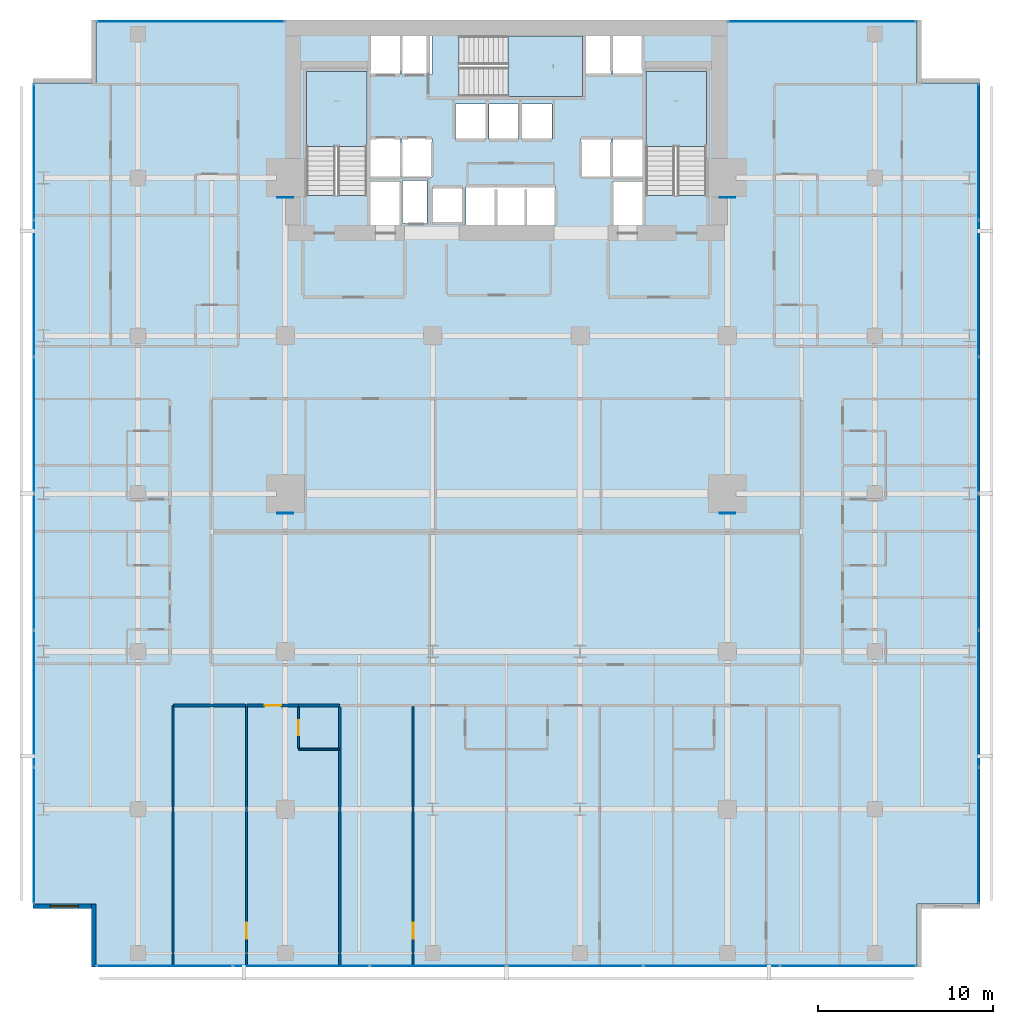
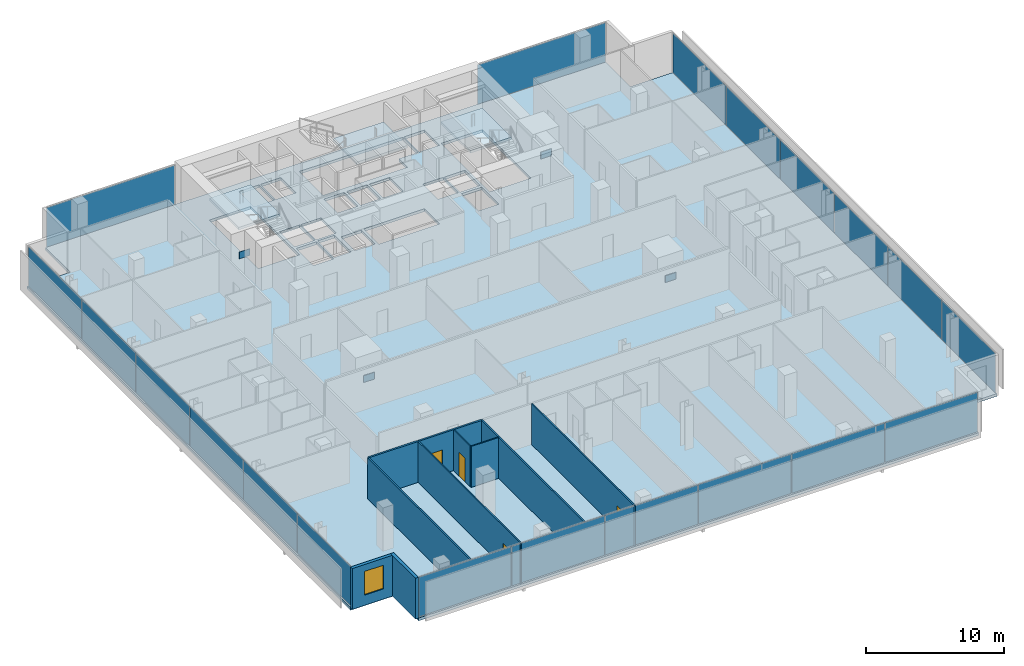
# One storey, part 32 of 40: 24 plates, 11 walls, 4 doors, 4 slabs, 1 window, 5 openings, 8 elements without a shape of their own.
"""IFC4 building model written with IfcOpenShell, lengths in metres."""

from ifc_helpers import new_model, si_unit, direction, frame, frame_2d, origin, origin_2d, place, context, subcontext, project, spatial, polyline, rectangle, outline, extrude, material, layer, layer_set, type_object, element, fill, aggregate, save


model = new_model("IFC4")

# Units and contexts
model_context = context("Model", 3, precision=1e-05, world=origin(), true_north=direction((0.0, 1.0)))
body_context = subcontext(model_context, "Body", "Model", "MODEL_VIEW")
ifc_project = project(units=[si_unit("LENGTHUNIT", "METRE"), si_unit("AREAUNIT", "SQUARE_METRE"), si_unit("VOLUMEUNIT", "CUBIC_METRE"), si_unit("PLANEANGLEUNIT", "RADIAN"), si_unit("MASSUNIT", "GRAM", prefix="KILO")], contexts=[model_context])

# Site, building, storey
site_placement = place(None, origin())
site = spatial("IfcSite", under=ifc_project, at=site_placement, CompositionType="ELEMENT")
building_placement = place(site_placement, origin())
building = spatial("IfcBuilding", under=site, at=building_placement, Name="Maruvema Waterfront Hotel and Observation Tower", CompositionType="ELEMENT")
storey_placement = place(building_placement, frame((0.0, 0.0, 100.10009765625)))
storey = spatial("IfcBuildingStorey", under=building, at=storey_placement, Name="L24", CompositionType="ELEMENT", Elevation=100.10009765625)

# Slab
ifc_material_1 = material(Name="Concrete C50/60", Category="concrete")
ifc_layer_1 = layer(ifc_material_1, 0.239990234375, Name="Reinforced Concrete Floor Slab 240 mm")
ifc_layer_set_1 = layer_set([ifc_layer_1], Name="Concrete C50/60")
slab_type_1 = type_object("IfcSlabType", Name="Reinforced Concrete Floor Slab 240 mm", PredefinedType="FLOOR", material=ifc_layer_set_1)
slab_1_placement = place(storey_placement, frame((0.0, 0.0, -0.239990234375)))
element("IfcSlab", 1, at=slab_1_placement, inside=storey, type_object=slab_type_1, Name="L24 Structural Floor Slab", PredefinedType="FLOOR", context=body_context, shape_type="SweptSolid", body=[
    extrude(outline(polyline([(14.39990234375, 0.0), (61.199951171875, 0.0), (61.199951171875, 3.60009765625), (64.800048828125, 3.60009765625), (64.800048828125, 50.39990234375), (61.199951171875, 50.39990234375), (61.199951171875, 54.0), (14.39990234375, 54.0), (14.39990234375, 50.39990234375), (10.800048828125, 50.39990234375), (10.800048828125, 3.60009765625), (14.39990234375, 3.60009765625), (14.39990234375, 0.0)]), holes=[polyline([(26.39990234375, 44.00048828125), (26.39990234375, 51.050048828125), (29.85009765625, 51.050048828125), (29.85009765625, 44.00048828125), (26.39990234375, 44.00048828125)]), polyline([(30.050048828125, 44.800048828125), (31.75, 44.800048828125), (31.75, 42.320068359375), (30.050048828125, 42.320068359375), (30.050048828125, 44.800048828125)]), polyline([(31.75, 47.25), (31.75, 45.050048828125), (30.050048828125, 45.050048828125), (30.050048828125, 47.25), (31.75, 47.25)]), polyline([(31.75, 53.10009765625), (31.75, 50.89990234375), (30.050048828125, 50.89990234375), (30.050048828125, 53.10009765625), (31.75, 53.10009765625)]), polyline([(33.280029296875, 44.860107421875), (33.280029296875, 42.43994140625), (31.8798828125, 42.43994140625), (31.8798828125, 44.860107421875), (33.280029296875, 44.860107421875)]), polyline([(31.85009765625, 47.25), (33.550048828125, 47.25), (33.550048828125, 45.050048828125), (31.85009765625, 45.050048828125), (31.85009765625, 47.25)]), polyline([(31.85009765625, 53.10009765625), (33.550048828125, 53.10009765625), (33.550048828125, 50.89990234375), (31.85009765625, 50.89990234375), (31.85009765625, 53.10009765625)]), polyline([(33.60009765625, 44.449951171875), (35.300048828125, 44.449951171875), (35.300048828125, 42.449951171875), (33.60009765625, 42.449951171875), (33.60009765625, 44.449951171875)]), polyline([(34.89990234375, 49.199951171875), (36.60009765625, 49.199951171875), (36.60009765625, 47.199951171875), (34.89990234375, 47.199951171875), (34.89990234375, 49.199951171875)]), polyline([(38.5, 49.199951171875), (38.5, 47.199951171875), (36.800048828125, 47.199951171875), (36.800048828125, 49.199951171875), (38.5, 49.199951171875)]), polyline([(35.5, 44.5), (40.60009765625, 44.5), (40.60009765625, 42.300048828125), (35.5, 42.300048828125), (35.5, 44.5)]), polyline([(43.75, 50.89990234375), (42.14990234375, 50.89990234375), (42.14990234375, 49.64990234375), (35.1005859375, 49.64990234375), (35.1005859375, 53.10009765625), (43.75, 53.10009765625), (43.75, 50.89990234375)]), polyline([(40.39990234375, 49.199951171875), (40.39990234375, 47.199951171875), (38.699951171875, 47.199951171875), (38.699951171875, 49.199951171875), (40.39990234375, 49.199951171875)]), polyline([(43.75, 47.25), (43.75, 45.050048828125), (42.050048828125, 45.050048828125), (42.050048828125, 47.25), (43.75, 47.25)]), polyline([(45.550048828125, 44.800048828125), (45.550048828125, 42.320068359375), (43.85009765625, 42.320068359375), (43.85009765625, 44.800048828125), (45.550048828125, 44.800048828125)]), polyline([(43.85009765625, 47.25), (45.550048828125, 47.25), (45.550048828125, 45.050048828125), (43.85009765625, 45.050048828125), (43.85009765625, 47.25)]), polyline([(45.550048828125, 53.10009765625), (45.550048828125, 50.89990234375), (43.85009765625, 50.89990234375), (43.85009765625, 53.10009765625), (45.550048828125, 53.10009765625)]), polyline([(45.75, 51.050048828125), (49.199951171875, 51.050048828125), (49.199951171875, 44.00048828125), (45.75, 44.00048828125), (45.75, 51.050048828125)])]), origin(), (0.0, 0.0, 1.0), 0.239990234375),
])

# Curtain wall, plates
ifc_material_2 = material(Name="Anodised bronze aluminium and solar-control low-E IGU", Category="aluminium")
ifc_layer_2 = layer(ifc_material_2, 0.159912109375, Name="Zone 1 Bronze Inner Thermal Curtain Wall System CW-02")
ifc_layer_set_2 = layer_set([ifc_layer_2], Name="Anodised bronze aluminium and solar-control low-E IGU")
curtain_wall_type = type_object("IfcCurtainWallType", Name="Zone 1 Bronze Inner Thermal Curtain Wall System CW-02", PredefinedType="USERDEFINED", material=ifc_layer_set_2)
curtain_wall_1_placement = place(storey_placement, origin())
curtain_wall_1 = element("IfcCurtainWall", 2, at=curtain_wall_1_placement, inside=storey, type_object=curtain_wall_type, Name="L24 Curtain Wall CW-L24-S", ObjectType="UNITISED CURTAIN WALL", PredefinedType="USERDEFINED")
ifc_material_3 = material(Name="Laminated low-E solar-control double glazing", Category="glass")
ifc_layer_3 = layer(ifc_material_3, 0.035888671875, Name="Solar Control Double-Glazed Curtain Panel 36 mm")
ifc_layer_set_3 = layer_set([ifc_layer_3], Name="Laminated low-E solar-control double glazing")
plate_type_1 = type_object("IfcPlateType", Name="Solar Control Double-Glazed Curtain Panel 36 mm", PredefinedType="CURTAIN_PANEL", material=ifc_layer_set_3)
plate_1_placement = place(storey_placement, frame((18.31494140625, 0.080078125, 0.06005859375), z_axis=(0.0, 0.0, 1.0), x_axis=(1.0, 0.0, 0.0)))
plate_1 = element("IfcPlate", 3, at=plate_1_placement, type_object=plate_type_1, Name="CW-02 panel 1.1", PredefinedType="CURTAIN_PANEL", context=body_context, shape_type="SweptSolid", body=[
    extrude(rectangle(XDim=7.7099609375, YDim=0.028076171875, at=origin_2d()), origin(), (0.0, 0.0, 1.0), 3.489990234375),
])
plate_2_placement = place(storey_placement, frame((26.10009765625, 0.080078125, 0.06005859375), z_axis=(0.0, 0.0, 1.0), x_axis=(1.0, 0.0, 0.0)))
plate_2 = element("IfcPlate", 4, at=plate_2_placement, type_object=plate_type_1, Name="CW-02 panel 2.1", PredefinedType="CURTAIN_PANEL", context=body_context, shape_type="SweptSolid", body=[
    extrude(rectangle(XDim=7.739990234375, YDim=0.028076171875, at=origin_2d()), origin(), (0.0, 0.0, 1.0), 3.489990234375),
])
plate_3_placement = place(storey_placement, frame((33.89990234375, 0.080078125, 0.06005859375), z_axis=(0.0, 0.0, 1.0), x_axis=(1.0, 0.0, 0.0)))
plate_3 = element("IfcPlate", 5, at=plate_3_placement, type_object=plate_type_1, Name="CW-02 panel 3.1", PredefinedType="CURTAIN_PANEL", context=body_context, shape_type="SweptSolid", body=[
    extrude(rectangle(XDim=7.739990234375, YDim=0.028076171875, at=origin_2d()), origin(), (0.0, 0.0, 1.0), 3.489990234375),
])
plate_4_placement = place(storey_placement, frame((41.699951171875, 0.080078125, 0.06005859375), z_axis=(0.0, 0.0, 1.0), x_axis=(1.0, 0.0, 0.0)))
plate_4 = element("IfcPlate", 6, at=plate_4_placement, type_object=plate_type_1, Name="CW-02 panel 4.1", PredefinedType="CURTAIN_PANEL", context=body_context, shape_type="SweptSolid", body=[
    extrude(rectangle(XDim=7.739990234375, YDim=0.028076171875, at=origin_2d()), origin(), (0.0, 0.0, 1.0), 3.489990234375),
])
plate_5_placement = place(storey_placement, frame((49.5, 0.080078125, 0.06005859375), z_axis=(0.0, 0.0, 1.0), x_axis=(1.0, 0.0, 0.0)))
plate_5 = element("IfcPlate", 7, at=plate_5_placement, type_object=plate_type_1, Name="CW-02 panel 5.1", PredefinedType="CURTAIN_PANEL", context=body_context, shape_type="SweptSolid", body=[
    extrude(rectangle(XDim=7.739990234375, YDim=0.028076171875, at=origin_2d()), origin(), (0.0, 0.0, 1.0), 3.489990234375),
])
plate_6_placement = place(storey_placement, frame((57.284912109375, 0.080078125, 0.06005859375), z_axis=(0.0, 0.0, 1.0), x_axis=(1.0, 0.0, 0.0)))
plate_6 = element("IfcPlate", 8, at=plate_6_placement, type_object=plate_type_1, Name="CW-02 panel 6.1", PredefinedType="CURTAIN_PANEL", context=body_context, shape_type="SweptSolid", body=[
    extrude(rectangle(XDim=7.7099609375, YDim=0.028076171875, at=origin_2d()), origin(), (0.0, 0.0, 1.0), 3.489990234375),
])
aggregate(curtain_wall_1, [plate_1, plate_2, plate_3, plate_4, plate_5, plate_6])

curtain_wall_2_placement = place(storey_placement, origin())
curtain_wall_2 = element("IfcCurtainWall", 9, at=curtain_wall_2_placement, inside=storey, type_object=curtain_wall_type, Name="L24 Curtain Wall CW-L24-E", ObjectType="UNITISED CURTAIN WALL", PredefinedType="USERDEFINED")
plate_7_placement = place(storey_placement, frame((64.719970703125, 7.514892578125, 0.06005859375), z_axis=(0.0, 0.0, 1.0), x_axis=(0.0, 1.0, 0.0)))
plate_7 = element("IfcPlate", 10, at=plate_7_placement, type_object=plate_type_1, Name="CW-02 panel 1.1", PredefinedType="CURTAIN_PANEL", context=body_context, shape_type="SweptSolid", body=[
    extrude(rectangle(XDim=7.7099609375, YDim=0.028076171875, at=origin_2d()), origin(), (0.0, 0.0, 1.0), 3.489990234375),
])
plate_8_placement = place(storey_placement, frame((64.719970703125, 15.300048828125, 0.06005859375), z_axis=(0.0, 0.0, 1.0), x_axis=(0.0, 1.0, 0.0)))
plate_8 = element("IfcPlate", 11, at=plate_8_placement, type_object=plate_type_1, Name="CW-02 panel 2.1", PredefinedType="CURTAIN_PANEL", context=body_context, shape_type="SweptSolid", body=[
    extrude(rectangle(XDim=7.739990234375, YDim=0.028076171875, at=origin_2d()), origin(), (0.0, 0.0, 1.0), 3.489990234375),
])
plate_9_placement = place(storey_placement, frame((64.719970703125, 23.10009765625, 0.06005859375), z_axis=(0.0, 0.0, 1.0), x_axis=(0.0, 1.0, 0.0)))
plate_9 = element("IfcPlate", 12, at=plate_9_placement, type_object=plate_type_1, Name="CW-02 panel 3.1", PredefinedType="CURTAIN_PANEL", context=body_context, shape_type="SweptSolid", body=[
    extrude(rectangle(XDim=7.739990234375, YDim=0.028076171875, at=origin_2d()), origin(), (0.0, 0.0, 1.0), 3.489990234375),
])
plate_10_placement = place(storey_placement, frame((64.719970703125, 30.89990234375, 0.06005859375), z_axis=(0.0, 0.0, 1.0), x_axis=(0.0, 1.0, 0.0)))
plate_10 = element("IfcPlate", 13, at=plate_10_placement, type_object=plate_type_1, Name="CW-02 panel 4.1", PredefinedType="CURTAIN_PANEL", context=body_context, shape_type="SweptSolid", body=[
    extrude(rectangle(XDim=7.739990234375, YDim=0.028076171875, at=origin_2d()), origin(), (0.0, 0.0, 1.0), 3.489990234375),
])
plate_11_placement = place(storey_placement, frame((64.719970703125, 38.699951171875, 0.06005859375), z_axis=(0.0, 0.0, 1.0), x_axis=(0.0, 1.0, 0.0)))
plate_11 = element("IfcPlate", 14, at=plate_11_placement, type_object=plate_type_1, Name="CW-02 panel 5.1", PredefinedType="CURTAIN_PANEL", context=body_context, shape_type="SweptSolid", body=[
    extrude(rectangle(XDim=7.739990234375, YDim=0.028076171875, at=origin_2d()), origin(), (0.0, 0.0, 1.0), 3.489990234375),
])
plate_12_placement = place(storey_placement, frame((64.719970703125, 46.485107421875, 0.06005859375), z_axis=(0.0, 0.0, 1.0), x_axis=(0.0, 1.0, 0.0)))
plate_12 = element("IfcPlate", 15, at=plate_12_placement, type_object=plate_type_1, Name="CW-02 panel 6.1", PredefinedType="CURTAIN_PANEL", context=body_context, shape_type="SweptSolid", body=[
    extrude(rectangle(XDim=7.7099609375, YDim=0.028076171875, at=origin_2d()), origin(), (0.0, 0.0, 1.0), 3.489990234375),
])
aggregate(curtain_wall_2, [plate_7, plate_8, plate_9, plate_10, plate_11, plate_12])

curtain_wall_3_placement = place(storey_placement, origin())
curtain_wall_3 = element("IfcCurtainWall", 16, at=curtain_wall_3_placement, inside=storey, type_object=curtain_wall_type, Name="L24 Curtain Wall CW-L24-W", ObjectType="UNITISED CURTAIN WALL", PredefinedType="USERDEFINED")
plate_13_placement = place(storey_placement, frame((10.8798828125, 46.485107421875, 0.06005859375), z_axis=(0.0, 0.0, 1.0), x_axis=(0.0, -1.0, 0.0)))
plate_13 = element("IfcPlate", 17, at=plate_13_placement, type_object=plate_type_1, Name="CW-02 panel 1.1", PredefinedType="CURTAIN_PANEL", context=body_context, shape_type="SweptSolid", body=[
    extrude(rectangle(XDim=7.7099609375, YDim=0.028076171875, at=origin_2d()), origin(), (0.0, 0.0, 1.0), 3.489990234375),
])
plate_14_placement = place(storey_placement, frame((10.8798828125, 38.699951171875, 0.06005859375), z_axis=(0.0, 0.0, 1.0), x_axis=(0.0, -1.0, 0.0)))
plate_14 = element("IfcPlate", 18, at=plate_14_placement, type_object=plate_type_1, Name="CW-02 panel 2.1", PredefinedType="CURTAIN_PANEL", context=body_context, shape_type="SweptSolid", body=[
    extrude(rectangle(XDim=7.739990234375, YDim=0.028076171875, at=origin_2d()), origin(), (0.0, 0.0, 1.0), 3.489990234375),
])
plate_15_placement = place(storey_placement, frame((10.8798828125, 30.89990234375, 0.06005859375), z_axis=(0.0, 0.0, 1.0), x_axis=(0.0, -1.0, 0.0)))
plate_15 = element("IfcPlate", 19, at=plate_15_placement, type_object=plate_type_1, Name="CW-02 panel 3.1", PredefinedType="CURTAIN_PANEL", context=body_context, shape_type="SweptSolid", body=[
    extrude(rectangle(XDim=7.739990234375, YDim=0.028076171875, at=origin_2d()), origin(), (0.0, 0.0, 1.0), 3.489990234375),
])
plate_16_placement = place(storey_placement, frame((10.8798828125, 23.10009765625, 0.06005859375), z_axis=(0.0, 0.0, 1.0), x_axis=(0.0, -1.0, 0.0)))
plate_16 = element("IfcPlate", 20, at=plate_16_placement, type_object=plate_type_1, Name="CW-02 panel 4.1", PredefinedType="CURTAIN_PANEL", context=body_context, shape_type="SweptSolid", body=[
    extrude(rectangle(XDim=7.739990234375, YDim=0.028076171875, at=origin_2d()), origin(), (0.0, 0.0, 1.0), 3.489990234375),
])
plate_17_placement = place(storey_placement, frame((10.8798828125, 15.300048828125, 0.06005859375), z_axis=(0.0, 0.0, 1.0), x_axis=(0.0, -1.0, 0.0)))
plate_17 = element("IfcPlate", 21, at=plate_17_placement, type_object=plate_type_1, Name="CW-02 panel 5.1", PredefinedType="CURTAIN_PANEL", context=body_context, shape_type="SweptSolid", body=[
    extrude(rectangle(XDim=7.739990234375, YDim=0.028076171875, at=origin_2d()), origin(), (0.0, 0.0, 1.0), 3.489990234375),
])
plate_18_placement = place(storey_placement, frame((10.8798828125, 7.514892578125, 0.06005859375), z_axis=(0.0, 0.0, 1.0), x_axis=(0.0, -1.0, 0.0)))
plate_18 = element("IfcPlate", 22, at=plate_18_placement, type_object=plate_type_1, Name="CW-02 panel 6.1", PredefinedType="CURTAIN_PANEL", context=body_context, shape_type="SweptSolid", body=[
    extrude(rectangle(XDim=7.7099609375, YDim=0.028076171875, at=origin_2d()), origin(), (0.0, 0.0, 1.0), 3.489990234375),
])
aggregate(curtain_wall_3, [plate_13, plate_14, plate_15, plate_16, plate_17, plate_18])

# Curtain wall, plate
curtain_wall_4_placement = place(storey_placement, origin())
curtain_wall_4 = element("IfcCurtainWall", 23, at=curtain_wall_4_placement, inside=storey, type_object=curtain_wall_type, Name="L24 Curtain Wall CW-L24-NW", ObjectType="UNITISED CURTAIN WALL", PredefinedType="USERDEFINED")
plate_19_placement = place(storey_placement, frame((19.800048828125, 53.919921875, 0.06005859375), z_axis=(0.0, 0.0, 1.0), x_axis=(-1.0, 0.0, 0.0)))
plate_19 = element("IfcPlate", 24, at=plate_19_placement, type_object=plate_type_1, Name="CW-02 panel 1.1", PredefinedType="CURTAIN_PANEL", context=body_context, shape_type="SweptSolid", body=[
    extrude(rectangle(XDim=10.679931640625, YDim=0.028076171875, at=origin_2d()), origin(), (0.0, 0.0, 1.0), 3.489990234375),
])
aggregate(curtain_wall_4, [plate_19])

curtain_wall_5_placement = place(storey_placement, origin())
curtain_wall_5 = element("IfcCurtainWall", 25, at=curtain_wall_5_placement, inside=storey, type_object=curtain_wall_type, Name="L24 Curtain Wall CW-L24-NE", ObjectType="UNITISED CURTAIN WALL", PredefinedType="USERDEFINED")
plate_20_placement = place(storey_placement, frame((55.800048828125, 53.919921875, 0.06005859375), z_axis=(0.0, 0.0, 1.0), x_axis=(-1.0, 0.0, 0.0)))
plate_20 = element("IfcPlate", 26, at=plate_20_placement, type_object=plate_type_1, Name="CW-02 panel 1.1", PredefinedType="CURTAIN_PANEL", context=body_context, shape_type="SweptSolid", body=[
    extrude(rectangle(XDim=10.679931640625, YDim=0.028076171875, at=origin_2d()), origin(), (0.0, 0.0, 1.0), 3.489990234375),
])
aggregate(curtain_wall_5, [plate_20])

# Stair, slab
ifc_material_4 = material(Name="Concrete C50/60", Category="concrete")
stair_type = type_object("IfcStairType", Name="Dogleg Exit Stair 1650 mm (22R x 175.0 mm)", PredefinedType="HALF_TURN_STAIR", material=ifc_material_4)
stair_1_placement = place(storey_placement, origin())
stair_1 = element("IfcStair", 27, at=stair_1_placement, inside=storey, type_object=stair_type, Name="L24 ST-01", PredefinedType="HALF_TURN_STAIR")
ifc_material_5 = material(Name="Concrete C50/60", Category="concrete")
ifc_layer_4 = layer(ifc_material_5, 0.219970703125, Name="Stair Concrete Landing Slab 220 mm")
ifc_layer_set_4 = layer_set([ifc_layer_4], Name="Concrete C50/60")
slab_type_2 = type_object("IfcSlabType", Name="Stair Concrete Landing Slab 220 mm", PredefinedType="LANDING", material=ifc_layer_set_4)
slab_2_placement = place(storey_placement, frame((0.0, 0.0, 1.704833984375)))
slab_2 = element("IfcSlab", 28, at=slab_2_placement, type_object=slab_type_2, Name="ST-01 landing 1", PredefinedType="LANDING", context=body_context, shape_type="SweptSolid", body=[
    extrude(outline(polyline([(29.85009765625, 46.800048828125), (29.85009765625, 51.050048828125), (26.39990234375, 51.050048828125), (26.39990234375, 46.800048828125), (29.85009765625, 46.800048828125)])), origin(), (0.0, 0.0, 1.0), 0.219970703125),
])
aggregate(stair_1, [slab_2])

stair_2_placement = place(storey_placement, origin())
stair_2 = element("IfcStair", 29, at=stair_2_placement, inside=storey, type_object=stair_type, Name="L24 ST-02", PredefinedType="HALF_TURN_STAIR")
slab_3_placement = place(storey_placement, frame((0.0, 0.0, 1.704833984375)))
slab_3 = element("IfcSlab", 30, at=slab_3_placement, type_object=slab_type_2, Name="ST-02 landing 1", PredefinedType="LANDING", context=body_context, shape_type="SweptSolid", body=[
    extrude(outline(polyline([(37.89990234375, 49.64990234375), (42.14990234375, 49.64990234375), (42.14990234375, 53.10009765625), (37.89990234375, 53.10009765625), (37.89990234375, 49.64990234375)])), origin(), (0.0, 0.0, 1.0), 0.219970703125),
])
aggregate(stair_2, [slab_3])

stair_3_placement = place(storey_placement, origin())
stair_3 = element("IfcStair", 31, at=stair_3_placement, inside=storey, type_object=stair_type, Name="L24 ST-03", PredefinedType="HALF_TURN_STAIR")
slab_4_placement = place(storey_placement, frame((0.0, 0.0, 1.704833984375)))
slab_4 = element("IfcSlab", 32, at=slab_4_placement, type_object=slab_type_2, Name="ST-03 landing 1", PredefinedType="LANDING", context=body_context, shape_type="SweptSolid", body=[
    extrude(outline(polyline([(49.199951171875, 46.800048828125), (49.199951171875, 51.050048828125), (45.75, 51.050048828125), (45.75, 46.800048828125), (49.199951171875, 46.800048828125)])), origin(), (0.0, 0.0, 1.0), 0.219970703125),
])
aggregate(stair_3, [slab_4])

# Plates
ifc_material_6 = material(Name="Steel ABNT NBR 7007 AR 415 (ASTM A572 Grade 50)", Category="steel")
ifc_layer_5 = layer(ifc_material_6, 0.0400390625, Name="Structural Truss Node Gusset Plate 40 mm")
ifc_layer_set_5 = layer_set([ifc_layer_5], Name="Steel ABNT NBR 7007 AR 415 (ASTM A572 Grade 50)")
plate_type_2 = type_object("IfcPlateType", Name="Structural Truss Node Gusset Plate 40 mm", PredefinedType="USERDEFINED", material=ifc_layer_set_5)
for number, where, z_axis, x_axis, name in (
    (33, (25.199951171875, 25.8798828125, 1.499755859375), (0.0, 0.0, 1.0), (1.0, 0.0, 0.0), "L24 MC-01 Moment Frame Continuity Gusset Plate"),
    (34, (50.39990234375, 25.8798828125, 1.499755859375), (0.0, 0.0, 1.0), (1.0, 0.0, 0.0), "L24 MC-02 Moment Frame Continuity Gusset Plate"),
    (35, (25.199951171875, 43.8798828125, 1.499755859375), (0.0, 0.0, 1.0), (1.0, 0.0, 0.0), "L24 MC-03 Moment Frame Continuity Gusset Plate"),
    (36, (50.39990234375, 43.8798828125, 1.499755859375), (0.0, 0.0, 1.0), (1.0, 0.0, 0.0), "L24 MC-04 Moment Frame Continuity Gusset Plate"),
):
    element("IfcPlate", number, at=place(storey_placement, frame(where, z_axis=z_axis, x_axis=x_axis)), inside=storey, type_object=plate_type_2, Name=name, ObjectType="GUSSET_PLATE", PredefinedType="USERDEFINED", context=body_context, shape_type="SweptSolid", body=[
        extrude(rectangle(XDim=0.89990234375, YDim=0.0400390625, at=origin_2d()), origin(), (0.0, 0.0, 1.0), 0.60009765625),
    ])

# Walls
ifc_material_7 = material(Name="Twin-stud acoustic gypsum drywall", Category="gypsum")
ifc_layer_6 = layer(ifc_material_7, 0.14990234375, Name="Acoustic Corridor and Suite Demising Wall 150 mm")
ifc_layer_set_6 = layer_set([ifc_layer_6], Name="Twin-stud acoustic gypsum drywall")
wall_type_1 = type_object("IfcWallType", Name="Acoustic Corridor and Suite Demising Wall 150 mm", PredefinedType="PARTITIONING", material=ifc_layer_set_6)
wall_1_placement = place(storey_placement, frame((25.949951171875, 14.919921875, 0.0), z_axis=(0.0, 0.0, 1.0), x_axis=(1.0, 0.0, 0.0)))
element("IfcWall", 37, at=wall_1_placement, inside=storey, type_object=wall_type_1, Name="L24 Bath L24-S1 Back Wall 034", PredefinedType="PARTITIONING", context=body_context, shape_type="SweptSolid", body=[
    extrude(rectangle(XDim=2.330078125, YDim=0.14990234375, at=frame_2d((1.1650390625, 0.0))), origin(), (0.0, 0.0, 1.0), 3.60986328125),
])
wall_2_placement = place(storey_placement, frame((18.820068359375, 14.919921875, 0.0), z_axis=(0.0, 0.0, 1.0), x_axis=(1.0, 0.0, 0.0)))
element("IfcWall", 38, at=wall_2_placement, inside=storey, type_object=wall_type_1, Name="L24 Bedroom L24-S1 Back Wall 037", PredefinedType="PARTITIONING", context=body_context, shape_type="SweptSolid", body=[
    extrude(rectangle(XDim=4.119873046875, YDim=0.14990234375, at=frame_2d((2.06005859375, 0.0))), origin(), (0.0, 0.0, 1.0), 3.60986328125),
])

# Wall, opening, door
wall_3_placement = place(storey_placement, frame((23.02001953125, 14.919921875, 0.0), z_axis=(0.0, 0.0, 1.0), x_axis=(1.0, 0.0, 0.0)))
wall_3 = element("IfcWall", 39, at=wall_3_placement, inside=storey, type_object=wall_type_1, Name="L24 Unit L24-S1 Corridor Wall 038", PredefinedType="PARTITIONING", context=body_context, shape_type="SweptSolid", body=[
    extrude(rectangle(XDim=2.929931640625, YDim=0.14990234375, at=frame_2d((1.46484375, 0.0))), origin(), (0.0, 0.0, 1.0), 3.60986328125),
])
opening_1_placement = place(wall_3_placement, frame((0.989990234375, 0.0, 0.0)))
opening_1 = element("IfcOpeningElement", 40, at=opening_1_placement, cuts=wall_3, Name="Opening DR-095", PredefinedType="OPENING", context=body_context, shape_type="SweptSolid", body=[
    extrude(rectangle(XDim=0.949951171875, YDim=2.14990234375, at=frame_2d((0.47509765625, 1.074951171875))), frame((0.0, 0.0849609375, 0.0), z_axis=(0.0, -1.0, 0.0), x_axis=(1.0, 0.0, 0.0)), (0.0, 0.0, 1.0), 0.169921875),
])
ifc_material_8 = material(Name="Acoustic solid-core hardwood timber leaf", Category="wood")
door_type_1 = type_object("IfcDoorType", Name="Guestroom Entrance Fire Door 950x2150 mm", OperationType="NOTDEFINED", PredefinedType="DOOR", material=ifc_material_8)
door_1_placement = place(opening_1_placement, frame((0.949951171875, 0.0, 0.0), z_axis=(0.0, 0.0, 1.0), x_axis=(-1.0, 0.0, 0.0)))
door_1 = element("IfcDoor", 41, at=door_1_placement, inside=storey, type_object=door_type_1, Name="L24 Unit L24-S1 Entrance Door", OperationType="SINGLE_SWING_LEFT", OverallHeight=2.14990234375, OverallWidth=0.949951171875, PredefinedType="DOOR", context=body_context, shape_type="SweptSolid", body=[
    extrude(rectangle(XDim=0.949951171875, YDim=2.14990234375, at=frame_2d((0.47509765625, 1.074951171875))), frame((0.0, 0.02490234375, 0.0), z_axis=(0.0, -1.0, 0.0), x_axis=(1.0, 0.0, 0.0)), (0.0, 0.0, 1.0), 0.050048828125),
])
fill(opening_1, door_1)

# Wall
ifc_material_9 = material(Name="Moisture-resistant cement-board drywall", Category="gypsum")
ifc_layer_7 = layer(ifc_material_9, 0.10009765625, Name="En-Suite Moisture-Resistant Partition 100 mm")
ifc_layer_set_7 = layer_set([ifc_layer_7], Name="Moisture-resistant cement-board drywall")
wall_type_2 = type_object("IfcWallType", Name="En-Suite Moisture-Resistant Partition 100 mm", PredefinedType="PARTITIONING", material=ifc_layer_set_7)
wall_4_placement = place(storey_placement, frame((25.949951171875, 12.419921875, 0.0), z_axis=(0.0, 0.0, 1.0), x_axis=(1.0, 0.0, 0.0)))
element("IfcWall", 42, at=wall_4_placement, inside=storey, type_object=wall_type_2, Name="L24 En-Suite L24-S1 South 035", PredefinedType="PARTITIONING", context=body_context, shape_type="SweptSolid", body=[
    extrude(rectangle(XDim=2.31005859375, YDim=0.10009765625, at=frame_2d((1.155029296875, 0.0))), origin(), (0.0, 0.0, 1.0), 3.60986328125),
])

# Wall, opening, door
wall_5_placement = place(storey_placement, frame((25.949951171875, 12.47998046875, 0.0), z_axis=(0.0, 0.0, 1.0), x_axis=(0.0, 1.0, 0.0)))
wall_5 = element("IfcWall", 43, at=wall_5_placement, inside=storey, type_object=wall_type_2, Name="L24 En-Suite L24-S1 West 036", PredefinedType="PARTITIONING", context=body_context, shape_type="SweptSolid", body=[
    extrude(rectangle(XDim=2.340087890625, YDim=0.10009765625, at=frame_2d((1.169921875, 0.0))), origin(), (0.0, 0.0, 1.0), 3.60986328125),
])
opening_2_placement = place(wall_5_placement, frame((0.7451171875, 0.0, 0.0)))
opening_2 = element("IfcOpeningElement", 44, at=opening_2_placement, cuts=wall_5, Name="Opening DR-085", PredefinedType="OPENING", context=body_context, shape_type="SweptSolid", body=[
    extrude(rectangle(XDim=0.85009765625, YDim=2.10009765625, at=frame_2d((0.425048828125, 1.050048828125))), frame((0.0, 0.06005859375, 0.0), z_axis=(0.0, -1.0, 0.0), x_axis=(1.0, 0.0, 0.0)), (0.0, 0.0, 1.0), 0.1201171875),
])
ifc_material_10 = material(Name="Moisture-resistant solid timber leaf", Category="wood")
door_type_2 = type_object("IfcDoorType", Name="En-Suite Bathroom Door 850x2100 mm", OperationType="NOTDEFINED", PredefinedType="DOOR", material=ifc_material_10)
door_2_placement = place(opening_2_placement, origin())
door_2 = element("IfcDoor", 45, at=door_2_placement, inside=storey, type_object=door_type_2, Name="L24 En-Suite L24-S1 Door", OperationType="SINGLE_SWING_RIGHT", OverallHeight=2.10009765625, OverallWidth=0.85009765625, PredefinedType="DOOR", context=body_context, shape_type="SweptSolid", body=[
    extrude(rectangle(XDim=0.85009765625, YDim=2.10009765625, at=frame_2d((0.425048828125, 1.050048828125))), frame((0.0, 0.02490234375, 0.0), z_axis=(0.0, -1.0, 0.0), x_axis=(1.0, 0.0, 0.0)), (0.0, 0.0, 1.0), 0.050048828125),
])
fill(opening_2, door_2)

wall_6_placement = place(storey_placement, frame((22.97998046875, 0.030029296875, 0.0), z_axis=(0.0, 0.0, 1.0), x_axis=(0.0, 1.0, 0.0)))
wall_6 = element("IfcWall", 46, at=wall_6_placement, inside=storey, type_object=wall_type_2, Name="L24 Suite L24-S1 Split 039", PredefinedType="PARTITIONING", context=body_context, shape_type="SweptSolid", body=[
    extrude(rectangle(XDim=14.830078125, YDim=0.10009765625, at=frame_2d((7.4150390625, 0.0))), origin(), (0.0, 0.0, 1.0), 3.60986328125),
])
opening_3_placement = place(wall_6_placement, frame((1.60009765625, 0.0, 0.0)))
opening_3 = element("IfcOpeningElement", 47, at=opening_3_placement, cuts=wall_6, Name="Opening DR-090", PredefinedType="OPENING", context=body_context, shape_type="SweptSolid", body=[
    extrude(rectangle(XDim=0.89990234375, YDim=2.10009765625, at=frame_2d((0.449951171875, 1.050048828125))), frame((0.0, 0.06005859375, 0.0), z_axis=(0.0, -1.0, 0.0), x_axis=(1.0, 0.0, 0.0)), (0.0, 0.0, 1.0), 0.1201171875),
])
ifc_material_11 = material(Name="Solid-core lacquered timber leaf", Category="wood")
door_type_3 = type_object("IfcDoorType", Name="Accessible Toilet and Room Door 900x2100 mm", OperationType="NOTDEFINED", PredefinedType="DOOR", material=ifc_material_11)
door_3_placement = place(opening_3_placement, frame((0.89990234375, 0.0, 0.0), z_axis=(0.0, 0.0, 1.0), x_axis=(-1.0, 0.0, 0.0)))
door_3 = element("IfcDoor", 48, at=door_3_placement, inside=storey, type_object=door_type_3, Name="L24 Suite L24-S1 Bedroom Door", OperationType="SINGLE_SWING_RIGHT", OverallHeight=2.10009765625, OverallWidth=0.89990234375, PredefinedType="DOOR", context=body_context, shape_type="SweptSolid", body=[
    extrude(rectangle(XDim=0.89990234375, YDim=2.10009765625, at=frame_2d((0.449951171875, 1.050048828125))), frame((0.0, 0.02490234375, 0.0), z_axis=(0.0, -1.0, 0.0), x_axis=(1.0, 0.0, 0.0)), (0.0, 0.0, 1.0), 0.050048828125),
])
fill(opening_3, door_3)

wall_7_placement = place(storey_placement, frame((32.47998046875, 0.030029296875, 0.0), z_axis=(0.0, 0.0, 1.0), x_axis=(0.0, 1.0, 0.0)))
wall_7 = element("IfcWall", 49, at=wall_7_placement, inside=storey, type_object=wall_type_2, Name="L24 Suite L24-S2 Split 046", PredefinedType="PARTITIONING", context=body_context, shape_type="SweptSolid", body=[
    extrude(rectangle(XDim=14.830078125, YDim=0.10009765625, at=frame_2d((7.4150390625, 0.0))), origin(), (0.0, 0.0, 1.0), 3.60986328125),
])
opening_4_placement = place(wall_7_placement, frame((1.60009765625, 0.0, 0.0)))
opening_4 = element("IfcOpeningElement", 50, at=opening_4_placement, cuts=wall_7, Name="Opening DR-090", PredefinedType="OPENING", context=body_context, shape_type="SweptSolid", body=[
    extrude(rectangle(XDim=0.89990234375, YDim=2.10009765625, at=frame_2d((0.449951171875, 1.050048828125))), frame((0.0, 0.06005859375, 0.0), z_axis=(0.0, -1.0, 0.0), x_axis=(1.0, 0.0, 0.0)), (0.0, 0.0, 1.0), 0.1201171875),
])
door_4_placement = place(opening_4_placement, frame((0.89990234375, 0.0, 0.0), z_axis=(0.0, 0.0, 1.0), x_axis=(-1.0, 0.0, 0.0)))
door_4 = element("IfcDoor", 51, at=door_4_placement, inside=storey, type_object=door_type_3, Name="L24 Suite L24-S2 Bedroom Door", OperationType="SINGLE_SWING_LEFT", OverallHeight=2.10009765625, OverallWidth=0.89990234375, PredefinedType="DOOR", context=body_context, shape_type="SweptSolid", body=[
    extrude(rectangle(XDim=0.89990234375, YDim=2.10009765625, at=frame_2d((0.449951171875, 1.050048828125))), frame((0.0, 0.02490234375, 0.0), z_axis=(0.0, -1.0, 0.0), x_axis=(1.0, 0.0, 0.0)), (0.0, 0.0, 1.0), 0.050048828125),
])
fill(opening_4, door_4)

# Wall
ifc_material_12 = material(Name="Precast concrete C45/55 with honed Pernambuco granite facing", Category="masonry")
ifc_layer_8 = layer(ifc_material_12, 0.260009765625, Name="Exterior Granite Clad Spandrel and Pier Wall 260 mm")
ifc_layer_set_8 = layer_set([ifc_layer_8], Name="Precast concrete C45/55 with honed Pernambuco granite facing")
wall_type_3 = type_object("IfcWallType", Name="Exterior Granite Clad Spandrel and Pier Wall 260 mm", PredefinedType="SOLIDWALL", material=ifc_layer_set_8)
wall_8_placement = place(storey_placement, frame((14.27001953125, 0.0, 0.0), z_axis=(0.0, 0.0, 1.0), x_axis=(0.0, 1.0, 0.0)))
element("IfcWall", 52, at=wall_8_placement, inside=storey, type_object=wall_type_3, Name="L24 Corner Notch Granite Pier Wall SW1", PredefinedType="SOLIDWALL", context=body_context, shape_type="SweptSolid", body=[
    extrude(rectangle(XDim=3.60009765625, YDim=0.260009765625, at=frame_2d((1.800048828125, 0.0))), origin(), (0.0, 0.0, 1.0), 3.60986328125),
])

# Wall, opening, window
wall_9_placement = place(storey_placement, frame((14.39990234375, 3.469970703125, 0.0), z_axis=(0.0, 0.0, 1.0), x_axis=(-1.0, 0.0, 0.0)))
wall_9 = element("IfcWall", 53, at=wall_9_placement, inside=storey, type_object=wall_type_3, Name="L24 Corner Notch Granite Pier Wall SW2", PredefinedType="SOLIDWALL", context=body_context, shape_type="SweptSolid", body=[
    extrude(rectangle(XDim=3.599853515625, YDim=0.260009765625, at=frame_2d((1.7998046875, 0.0))), origin(), (0.0, 0.0, 1.0), 3.60986328125),
])
opening_5_placement = place(wall_9_placement, frame((1.0, 0.0, 0.89990234375)))
opening_5 = element("IfcOpeningElement", 54, at=opening_5_placement, cuts=wall_9, Name="Opening WN-01", PredefinedType="OPENING", context=body_context, shape_type="SweptSolid", body=[
    extrude(rectangle(XDim=1.60009765625, YDim=2.10009765625, at=frame_2d((0.800048828125, 1.050048828125))), frame((0.0, 0.14013671875, 0.0), z_axis=(0.0, -1.0, 0.0), x_axis=(1.0, 0.0, 0.0)), (0.0, 0.0, 1.0), 0.280029296875),
])
ifc_material_13 = material(Name="Anodised bronze aluminium frame with laminated low-E glass", Category="aluminium")
window_type = type_object("IfcWindowType", Name="Corner Notch Feature Window 1600x2100 mm", PartitioningType="SINGLE_PANEL", PredefinedType="WINDOW", material=ifc_material_13)
window_placement = place(opening_5_placement, origin())
window = element("IfcWindow", 55, at=window_placement, inside=storey, type_object=window_type, Name="L24 Corner Notch Punched Window SW2", OverallHeight=2.10009765625, OverallWidth=1.60009765625, PartitioningType="SINGLE_PANEL", PredefinedType="WINDOW", context=body_context, shape_type="SweptSolid", body=[
    extrude(rectangle(XDim=1.60009765625, YDim=2.10009765625, at=frame_2d((0.800048828125, 1.050048828125))), frame((0.0, 0.030029296875, 0.0), z_axis=(0.0, -1.0, 0.0), x_axis=(1.0, 0.0, 0.0)), (0.0, 0.0, 1.0), 0.06005859375),
])
fill(opening_5, window)

# Walls
ifc_material_14 = material(Name="Acoustic gypsum plasterboard drywall", Category="gypsum")
ifc_layer_9 = layer(ifc_material_14, 0.125, Name="Guestroom Acoustic Demising Wall 125 mm")
ifc_layer_set_9 = layer_set([ifc_layer_9], Name="Acoustic gypsum plasterboard drywall")
wall_type_4 = type_object("IfcWallType", Name="Guestroom Acoustic Demising Wall 125 mm", PredefinedType="PARTITIONING", material=ifc_layer_set_9)
for number, where, z_axis, x_axis, name in (
    (56, (18.800048828125, 0.10009765625, 0.0), (0.0, 0.0, 1.0), (0.0, 1.0, 0.0), "L24 S West End 032"),
    (57, (28.300048828125, 0.10009765625, 0.0), (0.0, 0.0, 1.0), (0.0, 1.0, 0.0), "L24 S Demising 2 040"),
):
    element("IfcWall", number, at=place(storey_placement, frame(where, z_axis=z_axis, x_axis=x_axis)), inside=storey, type_object=wall_type_4, Name=name, PredefinedType="PARTITIONING", context=body_context, shape_type="SweptSolid", body=[
        extrude(rectangle(XDim=14.81982421875, YDim=0.125, at=frame_2d((7.409912109375, 0.0))), origin(), (0.0, 0.0, 1.0), 3.60986328125),
    ])

save(model, "model.ifc")
